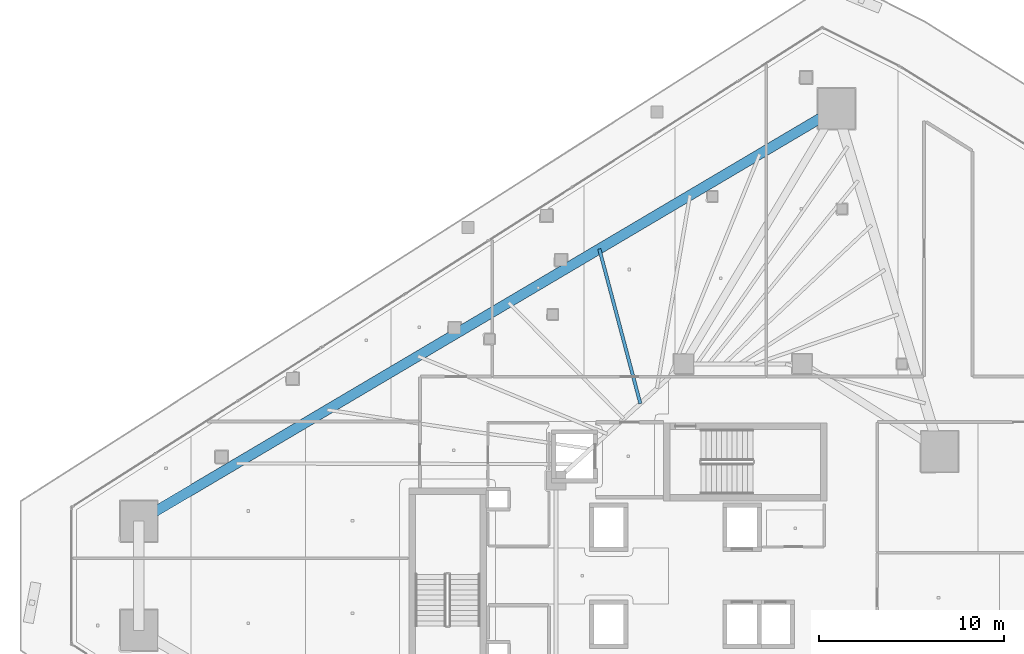
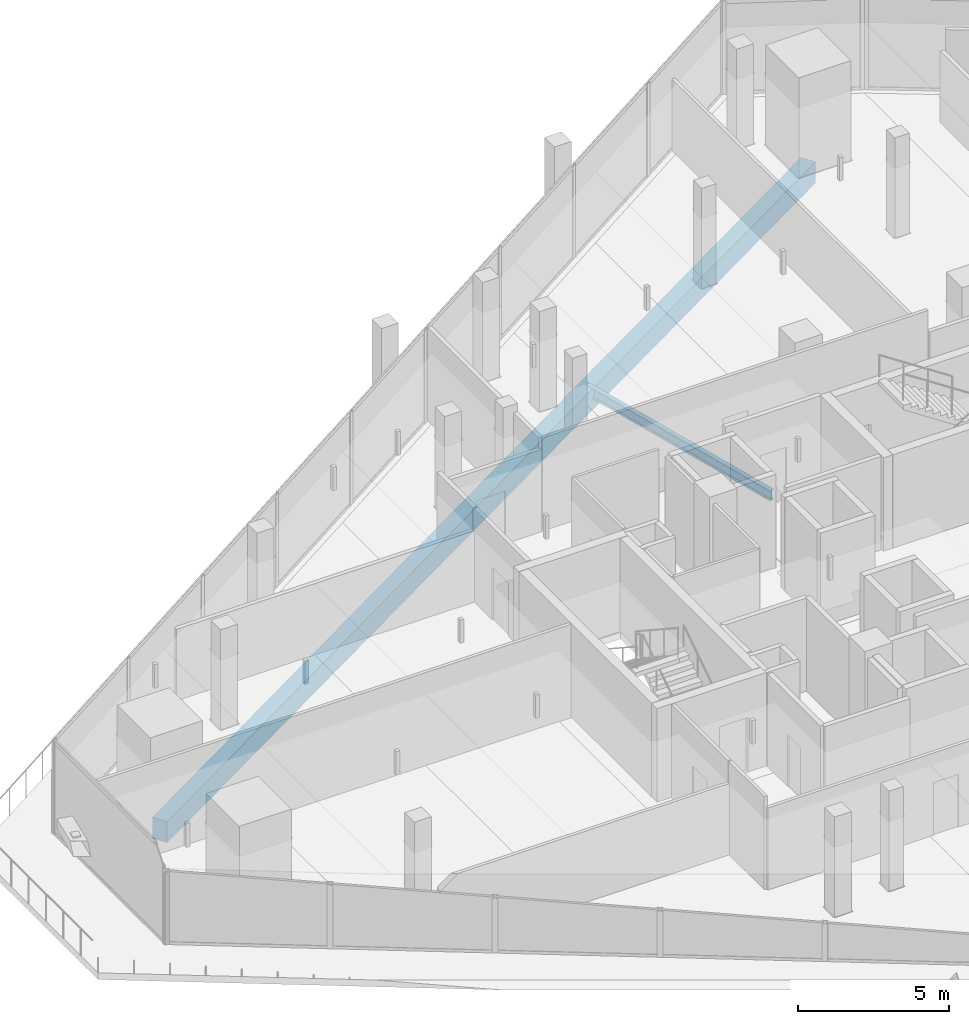
# One storey, part 17 of 39: 2 beams.
"""IFC4 building model written with IfcOpenShell, lengths in metres."""

from ifc_helpers import new_model, si_unit, direction, frame, origin, origin_2d, place, context, subcontext, project, spatial, rectangle, i_section, extrude, material, material_profile, profile_set, type_object, element, save


model = new_model("IFC4")

# Units and contexts
model_context = context("Model", 3, precision=1e-05, world=origin(), true_north=direction((0.0, 1.0)))
body_context = subcontext(model_context, "Body", "Model", "MODEL_VIEW")
ifc_project = project(units=[si_unit("LENGTHUNIT", "METRE"), si_unit("AREAUNIT", "SQUARE_METRE"), si_unit("VOLUMEUNIT", "CUBIC_METRE"), si_unit("PLANEANGLEUNIT", "RADIAN"), si_unit("MASSUNIT", "GRAM", prefix="KILO")], contexts=[model_context])

# Site, building, storey
site_placement = place(None, origin())
site = spatial("IfcSite", under=ifc_project, at=site_placement, CompositionType="ELEMENT")
building_placement = place(site_placement, origin())
building = spatial("IfcBuilding", under=site, at=building_placement, Name="Qorvath Tower", CompositionType="ELEMENT")
storey_placement = place(building_placement, frame((0.0, 0.0, 154.35009765625)))
storey = spatial("IfcBuildingStorey", under=building, at=storey_placement, Name="L35", CompositionType="ELEMENT", Elevation=154.35009765625)

# Beams
ifc_material_1 = material(Name="Steel ASTM A992 Grade 50", Category="steel")
ifc_material_profile_1 = material_profile(ifc_material_1, i_section(OverallWidth=0.177978515625, OverallDepth=0.406005859375, WebThickness=0.0078125, FlangeThickness=0.0126953125, FilletRadius=0.010986328125, at=origin_2d()), Name="W16x40")
ifc_profile_set_1 = profile_set([ifc_material_profile_1], Name="Steel ASTM A992 Grade 50")
beam_type_1 = type_object("IfcBeamType", Name="BM-FJ3", PredefinedType="JOIST", material=ifc_profile_set_1)
beam_1_placement = place(storey_placement, frame((-25.946044921875, 9.30810546875, -0.472900390625), z_axis=(-0.256507909517, 0.966542131702, 0.0), x_axis=(-0.966542131702, -0.256507909517, 0.0)))
element("IfcBeam", 1, at=beam_1_placement, inside=storey, type_object=beam_type_1, Name="Composite Floor Joist NW5 L35", PredefinedType="JOIST", context=body_context, shape_type="SweptSolid", body=[
    extrude(i_section(OverallWidth=0.177978515625, OverallDepth=0.406005859375, WebThickness=0.0078125, FlangeThickness=0.0126953125, FilletRadius=0.010986328125, at=origin_2d()), origin(), (0.0, 0.0, 1.0), 8.64697265625),
])
ifc_material_2 = material(Name="Concrete C50/60", Category="concrete")
ifc_material_profile_2 = material_profile(ifc_material_2, rectangle(XDim=0.550048828125, YDim=0.85009765625, at=origin_2d()), Name="RCB 850x550")
ifc_profile_set_2 = profile_set([ifc_material_profile_2], Name="Concrete C50/60")
beam_type_2 = type_object("IfcBeamType", Name="BM-RCB2", PredefinedType="SPANDREL", material=ifc_profile_set_2)
beam_2_placement = place(storey_placement, frame((-15.34423828125, 25.24609375, -0.695068359375), z_axis=(-0.860775142889, -0.508985415689, 0.0), x_axis=(0.508985415689, -0.860775142889, 0.0)))
element("IfcBeam", 2, at=beam_2_placement, inside=storey, type_object=beam_type_2, Name="Perimeter Loggia Frame Beam MC6-MC1 L35", PredefinedType="SPANDREL", context=body_context, shape_type="SweptSolid", body=[
    extrude(rectangle(XDim=0.550048828125, YDim=0.85009765625, at=origin_2d()), origin(), (0.0, 0.0, 1.0), 43.8037109375),
])

save(model, "model.ifc")
